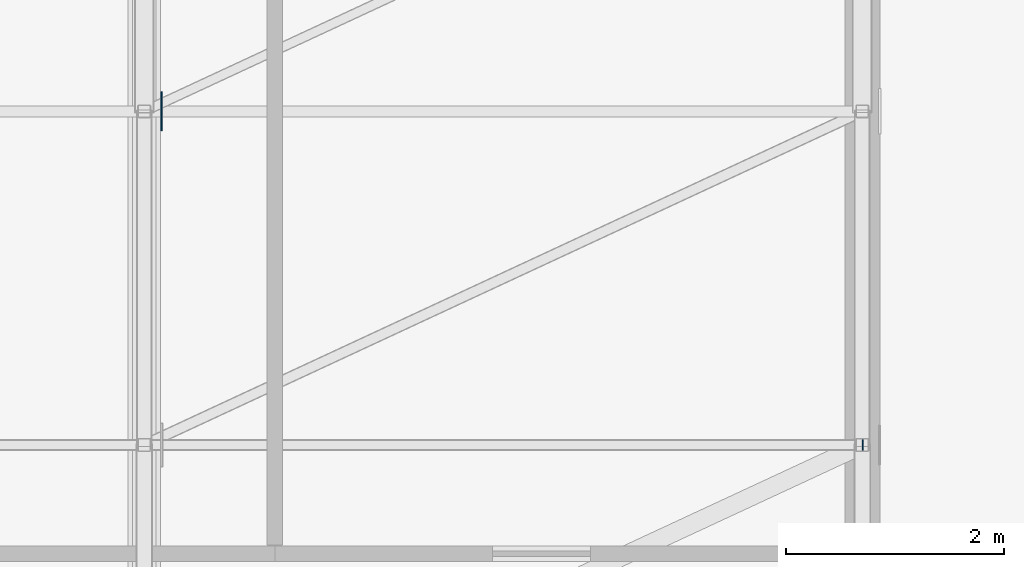
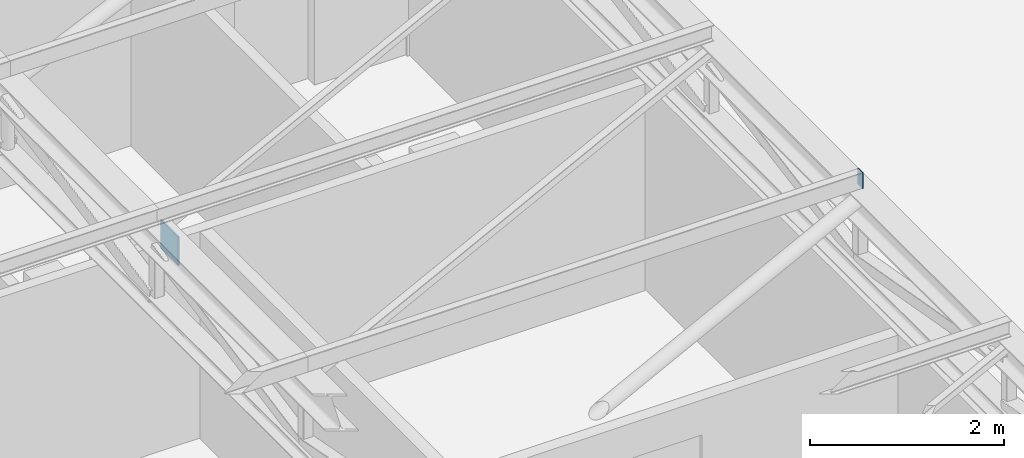
# One storey, part 59 of 92: 2 plates.
"""IFC4 building model written with IfcOpenShell, lengths in metres."""

from ifc_helpers import new_model, si_unit, direction, frame, origin, origin_2d, place, context, subcontext, project, spatial, rectangle, extrude, material, layer, layer_set, type_object, element, save


model = new_model("IFC4")

# Units and contexts
model_context = context("Model", 3, precision=1e-05, world=origin(), true_north=direction((0.0, 1.0)))
body_context = subcontext(model_context, "Body", "Model", "MODEL_VIEW")
ifc_project = project(units=[si_unit("LENGTHUNIT", "METRE"), si_unit("AREAUNIT", "SQUARE_METRE"), si_unit("VOLUMEUNIT", "CUBIC_METRE"), si_unit("PLANEANGLEUNIT", "RADIAN"), si_unit("MASSUNIT", "GRAM", prefix="KILO")], contexts=[model_context])

# Site, building, storey
site_placement = place(None, origin())
site = spatial("IfcSite", under=ifc_project, at=site_placement, CompositionType="ELEMENT")
building_placement = place(site_placement, origin())
building = spatial("IfcBuilding", under=site, at=building_placement, Name="Kernevlak Ridge Housing Community", CompositionType="ELEMENT")
storey_placement = place(building_placement, frame((0.0, 0.0, 4.199951171875)))
storey = spatial("IfcBuildingStorey", under=building, at=storey_placement, Name="L01", CompositionType="ELEMENT", Elevation=4.199951171875)

# Plates
ifc_material = material(Name="Steel S355", Category="steel")
ifc_layer_1 = layer(ifc_material, 0.010009765625, Name="Steel S355")
ifc_layer_set_1 = layer_set([ifc_layer_1], Name="Steel S355")
plate_type_1 = type_object("IfcPlateType", Name="EP-01", PredefinedType="USERDEFINED", material=ifc_layer_set_1)
plate_1_placement = place(storey_placement, frame((103.804931640625, 59.0, 3.76025390625), z_axis=(0.0, 0.0, 1.0), x_axis=(1.0, 0.0, 0.0)))
element("IfcPlate", 1, at=plate_1_placement, inside=storey, type_object=plate_type_1, Name="Community Hall purlin end cap plate 6.4", ObjectType="STIFFENER_PLATE", PredefinedType="USERDEFINED", context=body_context, shape_type="SweptSolid", body=[
    extrude(rectangle(XDim=0.010009765625, YDim=0.10009765625, at=origin_2d()), origin(), (0.0, 0.0, 1.0), 0.199951171875),
])
ifc_layer_2 = layer(ifc_material, 0.01611328125, Name="Steel S355")
ifc_layer_set_2 = layer_set([ifc_layer_2], Name="Steel S355")
plate_type_2 = type_object("IfcPlateType", Name="GP-01", PredefinedType="USERDEFINED", material=ifc_layer_set_2)
plate_2_placement = place(storey_placement, frame((97.35791015625, 62.066650390625, 3.27001953125), z_axis=(0.0, 0.0, 1.0), x_axis=(1.0, 0.0, 0.0)))
element("IfcPlate", 2, at=plate_2_placement, inside=storey, type_object=plate_type_2, Name="Roof truss 6 node gusset plate 4", ObjectType="GUSSET_PLATE", PredefinedType="USERDEFINED", context=body_context, shape_type="SweptSolid", body=[
    extrude(rectangle(XDim=0.01611328125, YDim=0.360107421875, at=origin_2d()), origin(), (0.0, 0.0, 1.0), 0.360107421875),
])

save(model, "model.ifc")
